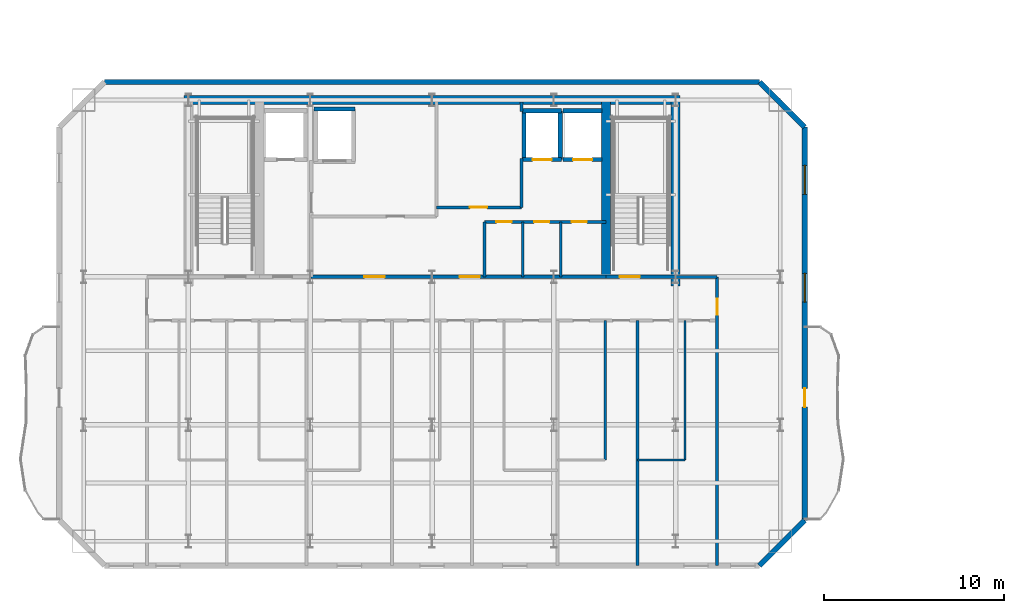
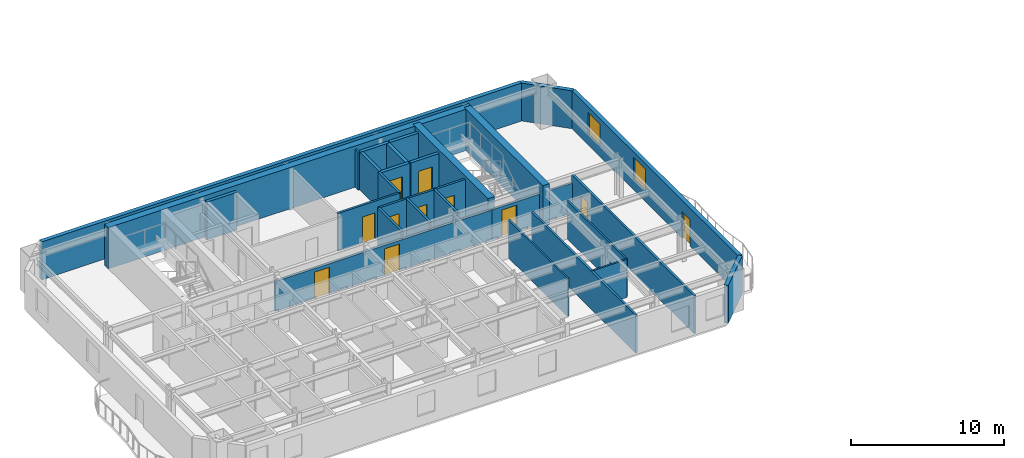
# One storey, part 7 of 14: 29 walls, 11 doors, 2 windows, 13 openings.
"""IFC4 building model written with IfcOpenShell, lengths in metres."""

from ifc_helpers import new_model, si_unit, direction, frame, frame_2d, origin, place, context, subcontext, project, spatial, rectangle, extrude, material, layer, layer_set, type_object, element, fill, save


model = new_model("IFC4")

# Units and contexts
model_context = context("Model", 3, precision=1e-05, world=origin(), true_north=direction((0.0, 1.0)))
body_context = subcontext(model_context, "Body", "Model", "MODEL_VIEW")
ifc_project = project(units=[si_unit("LENGTHUNIT", "METRE"), si_unit("AREAUNIT", "SQUARE_METRE"), si_unit("VOLUMEUNIT", "CUBIC_METRE"), si_unit("PLANEANGLEUNIT", "RADIAN"), si_unit("MASSUNIT", "GRAM", prefix="KILO")], contexts=[model_context])

# Site, building, storey
site_placement = place(None, origin())
site = spatial("IfcSite", under=ifc_project, at=site_placement, CompositionType="ELEMENT")
building_placement = place(site_placement, origin())
building = spatial("IfcBuilding", under=site, at=building_placement, Name="Haevon Station Towers", CompositionType="ELEMENT")
storey_placement = place(building_placement, frame((0.0, 0.0, 179.10009765625)))
storey = spatial("IfcBuildingStorey", under=building, at=storey_placement, Name="L49", CompositionType="ELEMENT", Elevation=179.10009765625)

# Wall, opening, door
ifc_material_1 = material(Name="Gypsum board on steel stud", Category="steel")
ifc_layer_1 = layer(ifc_material_1, 0.199951171875)
ifc_layer_set_1 = layer_set([ifc_layer_1], Name="Gypsum board on steel stud")
wall_type_1 = type_object("IfcWallType", Name="WL-COR200", PredefinedType="PARTITIONING", material=ifc_layer_set_1)
wall_1_placement = place(storey_placement, frame((47.14990234375, 38.199951171875, 0.0), z_axis=(0.0, 0.0, 1.0), x_axis=(1.0, 0.0, 0.0)))
wall_1 = element("IfcWall", 1, at=wall_1_placement, inside=storey, type_object=wall_type_1, Name="WL-ST-ST2-L49", PredefinedType="PARTITIONING", context=body_context, shape_type="SweptSolid", body=[
    extrude(rectangle(XDim=3.85009765625, YDim=0.199951171875, at=frame_2d((1.925048828125, 0.0))), origin(), (0.0, 0.0, 1.0), 2.3798828125),
])
opening_1_placement = place(wall_1_placement, frame((0.75, 0.0, 0.0)))
opening_1 = element("IfcOpeningElement", 2, at=opening_1_placement, cuts=wall_1, Name="Opening DR-ST-ST2-L49", PredefinedType="OPENING", context=body_context, shape_type="SweptSolid", body=[
    extrude(rectangle(XDim=1.1201171875, YDim=2.10009765625, at=frame_2d((0.56005859375, 1.050048828125))), frame((0.0, 0.10986328125, 0.0), z_axis=(0.0, -1.0, 0.0), x_axis=(1.0, 0.0, 0.0)), (0.0, 0.0, 1.0), 0.219970703125),
])
ifc_material_2 = material(Name="Engineered oak timber", Category="wood")
door_type_1 = type_object("IfcDoorType", Name="DR-ST-1120", OperationType="NOTDEFINED", PredefinedType="DOOR", material=ifc_material_2)
door_1_placement = place(opening_1_placement, origin())
door_1 = element("IfcDoor", 3, at=door_1_placement, inside=storey, type_object=door_type_1, Name="L49 Escape Stair ST2 Fire Door", OperationType="SINGLE_SWING_LEFT", OverallHeight=2.10009765625, OverallWidth=1.1201171875, PredefinedType="DOOR", context=body_context, shape_type="SweptSolid", body=[
    extrude(rectangle(XDim=1.1201171875, YDim=2.10009765625, at=frame_2d((0.56005859375, 1.050048828125))), frame((0.0, 0.02490234375, 0.0), z_axis=(0.0, -1.0, 0.0), x_axis=(1.0, 0.0, 0.0)), (0.0, 0.0, 1.0), 0.050048828125),
])
fill(opening_1, door_1)

# Wall, openings, doors
wall_2_placement = place(storey_placement, frame((30.800048828125, 38.199951171875, 0.0), z_axis=(0.0, 0.0, 1.0), x_axis=(1.0, 0.0, 0.0)))
wall_2 = element("IfcWall", 4, at=wall_2_placement, inside=storey, type_object=wall_type_1, Name="WL-T1CLB-L49", PredefinedType="PARTITIONING", context=body_context, shape_type="SweptSolid", body=[
    extrude(rectangle(XDim=16.349853515625, YDim=0.199951171875, at=frame_2d((8.1748046875, 0.0))), origin(), (0.0, 0.0, 1.0), 2.3798828125),
])
opening_2_placement = place(wall_2_placement, frame((2.949951171875, 0.0, 0.0)))
opening_2 = element("IfcOpeningElement", 5, at=opening_2_placement, cuts=wall_2, Name="Opening DR-T1CLB-L49-1", PredefinedType="OPENING", context=body_context, shape_type="SweptSolid", body=[
    extrude(rectangle(XDim=1.1201171875, YDim=2.10009765625, at=frame_2d((0.56005859375, 1.050048828125))), frame((0.0, 0.10986328125, 0.0), z_axis=(0.0, -1.0, 0.0), x_axis=(1.0, 0.0, 0.0)), (0.0, 0.0, 1.0), 0.219970703125),
])
opening_3_placement = place(wall_2_placement, frame((8.22998046875, 0.0, 0.0)))
opening_3 = element("IfcOpeningElement", 6, at=opening_3_placement, cuts=wall_2, Name="Opening DR-T1CLB-L49-2", PredefinedType="OPENING", context=body_context, shape_type="SweptSolid", body=[
    extrude(rectangle(XDim=1.1201171875, YDim=2.10009765625, at=frame_2d((0.56005859375, 1.050048828125))), frame((0.0, 0.10986328125, 0.0), z_axis=(0.0, -1.0, 0.0), x_axis=(1.0, 0.0, 0.0)), (0.0, 0.0, 1.0), 0.219970703125),
])
door_2_placement = place(opening_2_placement, origin())
door_2 = element("IfcDoor", 7, at=door_2_placement, inside=storey, type_object=door_type_1, Name="L49 Tower 1 Core Lift Lobby Door 1", OperationType="SINGLE_SWING_RIGHT", OverallHeight=2.10009765625, OverallWidth=1.1201171875, PredefinedType="DOOR", context=body_context, shape_type="SweptSolid", body=[
    extrude(rectangle(XDim=1.1201171875, YDim=2.10009765625, at=frame_2d((0.56005859375, 1.050048828125))), frame((0.0, 0.02490234375, 0.0), z_axis=(0.0, -1.0, 0.0), x_axis=(1.0, 0.0, 0.0)), (0.0, 0.0, 1.0), 0.050048828125),
])
fill(opening_2, door_2)
door_3_placement = place(opening_3_placement, origin())
door_3 = element("IfcDoor", 8, at=door_3_placement, inside=storey, type_object=door_type_1, Name="L49 Tower 1 Core Lift Lobby Door 2", OperationType="SINGLE_SWING_LEFT", OverallHeight=2.10009765625, OverallWidth=1.1201171875, PredefinedType="DOOR", context=body_context, shape_type="SweptSolid", body=[
    extrude(rectangle(XDim=1.1201171875, YDim=2.10009765625, at=frame_2d((0.56005859375, 1.050048828125))), frame((0.0, 0.02490234375, 0.0), z_axis=(0.0, -1.0, 0.0), x_axis=(1.0, 0.0, 0.0)), (0.0, 0.0, 1.0), 0.050048828125),
])
fill(opening_3, door_3)

# Walls
ifc_material_3 = material(Name="Concrete C60/75", Category="concrete")
ifc_layer_2 = layer(ifc_material_3, 0.5)
ifc_layer_set_2 = layer_set([ifc_layer_2], Name="Concrete C60/75")
wall_type_2 = type_object("IfcWallType", Name="WL-CR500", PredefinedType="SHEAR", material=ifc_layer_set_2)
wall_3_placement = place(storey_placement, frame((23.75, 48.0, 0.0), z_axis=(0.0, 0.0, 1.0), x_axis=(1.0, 0.0, 0.0)))
element("IfcWall", 9, at=wall_3_placement, inside=storey, type_object=wall_type_2, Name="WL-T1CR-L49-N", PredefinedType="SHEAR", context=body_context, shape_type="SweptSolid", body=[
    extrude(rectangle(XDim=27.5, YDim=0.5, at=frame_2d((13.75, 0.0))), origin(), (0.0, 0.0, 1.0), 3.2998046875),
])
wall_4_placement = place(storey_placement, frame((51.0, 37.679931640625, 0.0), z_axis=(0.0, 0.0, 1.0), x_axis=(0.0, 1.0, 0.0)))
element("IfcWall", 10, at=wall_4_placement, inside=storey, type_object=wall_type_2, Name="WL-T1CR-L49-E", PredefinedType="SHEAR", context=body_context, shape_type="SweptSolid", body=[
    extrude(rectangle(XDim=10.320068359375, YDim=0.5, at=frame_2d((5.16015625, 0.0))), origin(), (0.0, 0.0, 1.0), 3.2998046875),
])
wall_5_placement = place(storey_placement, frame((47.14990234375, 38.199951171875, 0.0), z_axis=(0.0, 0.0, 1.0), x_axis=(0.0, 1.0, 0.0)))
element("IfcWall", 11, at=wall_5_placement, inside=storey, type_object=wall_type_2, Name="WL-T1CR-L49-M2", PredefinedType="SHEAR", context=body_context, shape_type="SweptSolid", body=[
    extrude(rectangle(XDim=9.800048828125, YDim=0.5, at=frame_2d((4.89990234375, 0.0))), origin(), (0.0, 0.0, 1.0), 3.2998046875),
])
ifc_material_4 = material(Name="Precast concrete C45/55", Category="concrete")
ifc_layer_3 = layer(ifc_material_4, 0.300048828125)
ifc_layer_set_3 = layer_set([ifc_layer_3], Name="Precast concrete C45/55")
wall_type_3 = type_object("IfcWallType", Name="WL-EXT-PIER300", PredefinedType="SOLIDWALL", material=ifc_layer_set_3)
wall_6_placement = place(storey_placement, frame((19.35009765625, 49.0, 0.0), z_axis=(0.0, 0.0, 1.0), x_axis=(1.0, 0.0, 0.0)))
element("IfcWall", 12, at=wall_6_placement, inside=storey, type_object=wall_type_3, Name="WL-T1-L49-N", PredefinedType="SOLIDWALL", context=body_context, shape_type="SweptSolid", body=[
    extrude(rectangle(XDim=36.2998046875, YDim=0.300048828125, at=frame_2d((18.14990234375, 0.0))), origin(), (0.0, 0.0, 1.0), 3.02978515625),
])
wall_7_placement = place(storey_placement, frame((55.64990234375, 49.0, 0.0), z_axis=(0.0, 0.0, 1.0), x_axis=(0.707106781187, -0.707106781187, 0.0)))
element("IfcWall", 13, at=wall_7_placement, inside=storey, type_object=wall_type_3, Name="WL-T1-L49-NEC", PredefinedType="SOLIDWALL", context=body_context, shape_type="SweptSolid", body=[
    extrude(rectangle(XDim=3.53564453125, YDim=0.300048828125, at=frame_2d((1.767822265625, 0.0))), origin(), (0.0, 0.0, 1.0), 3.02978515625),
])

# Wall, openings, door, windows
wall_8_placement = place(storey_placement, frame((58.14990234375, 46.5, 0.0), z_axis=(0.0, 0.0, 1.0), x_axis=(0.0, -1.0, 0.0)))
wall_8 = element("IfcWall", 14, at=wall_8_placement, inside=storey, type_object=wall_type_3, Name="WL-T1-L49-E", PredefinedType="SOLIDWALL", context=body_context, shape_type="SweptSolid", body=[
    extrude(rectangle(XDim=21.800048828125, YDim=0.300048828125, at=frame_2d((10.89990234375, 0.0))), origin(), (0.0, 0.0, 1.0), 3.02978515625),
])
opening_4_placement = place(wall_8_placement, frame((14.47509765625, 0.0, 0.0)))
opening_4 = element("IfcOpeningElement", 15, at=opening_4_placement, cuts=wall_8, Name="Opening DR-T1-SCAL-L49-E", PredefinedType="OPENING", context=body_context, shape_type="SweptSolid", body=[
    extrude(rectangle(XDim=1.050048828125, YDim=2.10009765625, at=frame_2d((0.52490234375, 1.050048828125))), frame((0.0, 0.159912109375, 0.0), z_axis=(0.0, -1.0, 0.0), x_axis=(1.0, 0.0, 0.0)), (0.0, 0.0, 1.0), 0.320068359375),
])
opening_5_placement = place(wall_8_placement, frame((2.128662109375, 0.0, 0.800048828125)))
opening_5 = element("IfcOpeningElement", 16, at=opening_5_placement, cuts=wall_8, Name="Opening WN-END160", PredefinedType="OPENING", context=body_context, shape_type="SweptSolid", body=[
    extrude(rectangle(XDim=1.60009765625, YDim=1.800048828125, at=frame_2d((0.800048828125, 0.89990234375))), frame((0.0, 0.159912109375, 0.0), z_axis=(0.0, -1.0, 0.0), x_axis=(1.0, 0.0, 0.0)), (0.0, 0.0, 1.0), 0.320068359375),
])
opening_6_placement = place(wall_8_placement, frame((8.107177734375, 0.0, 0.800048828125)))
opening_6 = element("IfcOpeningElement", 17, at=opening_6_placement, cuts=wall_8, Name="Opening WN-END160", PredefinedType="OPENING", context=body_context, shape_type="SweptSolid", body=[
    extrude(rectangle(XDim=1.60009765625, YDim=1.800048828125, at=frame_2d((0.800048828125, 0.89990234375))), frame((0.0, 0.159912109375, 0.0), z_axis=(0.0, -1.0, 0.0), x_axis=(1.0, 0.0, 0.0)), (0.0, 0.0, 1.0), 0.320068359375),
])
ifc_material_5 = material(Name="Thermally broken anodised aluminium and laminated safety glass", Category="aluminium")
door_type_2 = type_object("IfcDoorType", Name="DR-BALC-1050", OperationType="NOTDEFINED", PredefinedType="DOOR", material=ifc_material_5)
door_4_placement = place(opening_4_placement, origin())
door_4 = element("IfcDoor", 18, at=door_4_placement, inside=storey, type_object=door_type_2, Name="Tower 1 L49 East Scalloped Balcony Door", OperationType="SINGLE_SWING_RIGHT", OverallHeight=2.10009765625, OverallWidth=1.050048828125, PredefinedType="DOOR", context=body_context, shape_type="SweptSolid", body=[
    extrude(rectangle(XDim=1.050048828125, YDim=2.10009765625, at=frame_2d((0.52490234375, 1.050048828125))), frame((0.0, 0.02490234375, 0.0), z_axis=(0.0, -1.0, 0.0), x_axis=(1.0, 0.0, 0.0)), (0.0, 0.0, 1.0), 0.050048828125),
])
fill(opening_4, door_4)
ifc_material_6 = material(Name="Low-E triple glazing in thermally broken aluminium", Category="aluminium")
window_type = type_object("IfcWindowType", Name="WN-END160", PartitioningType="SINGLE_PANEL", PredefinedType="WINDOW", material=ifc_material_6)
window_1_placement = place(opening_5_placement, origin())
window_1 = element("IfcWindow", 19, at=window_1_placement, inside=storey, type_object=window_type, Name="WN-T1-L49-E01", OverallHeight=1.800048828125, OverallWidth=1.60009765625, PartitioningType="SINGLE_PANEL", PredefinedType="WINDOW", context=body_context, shape_type="SweptSolid", body=[
    extrude(rectangle(XDim=1.60009765625, YDim=1.800048828125, at=frame_2d((0.800048828125, 0.89990234375))), frame((0.0, 0.030029296875, 0.0), z_axis=(0.0, -1.0, 0.0), x_axis=(1.0, 0.0, 0.0)), (0.0, 0.0, 1.0), 0.06005859375),
])
fill(opening_5, window_1)
window_2_placement = place(opening_6_placement, origin())
window_2 = element("IfcWindow", 20, at=window_2_placement, inside=storey, type_object=window_type, Name="WN-T1-L49-E02", OverallHeight=1.800048828125, OverallWidth=1.60009765625, PartitioningType="SINGLE_PANEL", PredefinedType="WINDOW", context=body_context, shape_type="SweptSolid", body=[
    extrude(rectangle(XDim=1.60009765625, YDim=1.800048828125, at=frame_2d((0.800048828125, 0.89990234375))), frame((0.0, 0.030029296875, 0.0), z_axis=(0.0, -1.0, 0.0), x_axis=(1.0, 0.0, 0.0)), (0.0, 0.0, 1.0), 0.06005859375),
])
fill(opening_6, window_2)

# Walls
wall_9_placement = place(storey_placement, frame((58.14990234375, 24.699951171875, 0.0), z_axis=(0.0, 0.0, 1.0), x_axis=(-0.707106781187, -0.707106781187, 0.0)))
element("IfcWall", 21, at=wall_9_placement, inside=storey, type_object=wall_type_3, Name="WL-T1-L49-SEC", PredefinedType="SOLIDWALL", context=body_context, shape_type="SweptSolid", body=[
    extrude(rectangle(XDim=3.53564453125, YDim=0.300048828125, at=frame_2d((1.767822265625, 0.0))), origin(), (0.0, 0.0, 1.0), 3.02978515625),
])
ifc_layer_4 = layer(ifc_material_1, 0.125)
ifc_layer_set_4 = layer_set([ifc_layer_4], Name="Gypsum board on steel stud")
wall_type_4 = type_object("IfcWallType", Name="WL-PRT125", PredefinedType="PARTITIONING", material=ifc_layer_set_4)
wall_10_placement = place(storey_placement, frame((47.095947265625, 28.05224609375, 0.0), z_axis=(0.0, 0.0, 1.0), x_axis=(0.0, 1.0, 0.0)))
element("IfcWall", 22, at=wall_10_placement, inside=storey, type_object=wall_type_4, Name="WL-T1PT-L49-21", PredefinedType="PARTITIONING", context=body_context, shape_type="SweptSolid", body=[
    extrude(rectangle(XDim=7.727783203125, YDim=0.125, at=frame_2d((3.86376953125, 0.0))), origin(), (0.0, 0.0, 1.0), 3.02978515625),
])
wall_11_placement = place(storey_placement, frame((48.8759765625, 28.05224609375, 0.0), z_axis=(0.0, 0.0, 1.0), x_axis=(1.0, 0.0, 0.0)))
element("IfcWall", 23, at=wall_11_placement, inside=storey, type_object=wall_type_4, Name="WL-T1PT-L49-23", PredefinedType="PARTITIONING", context=body_context, shape_type="SweptSolid", body=[
    extrude(rectangle(XDim=2.64404296875, YDim=0.125, at=frame_2d((1.322021484375, 0.0))), origin(), (0.0, 0.0, 1.0), 3.02978515625),
])
wall_12_placement = place(storey_placement, frame((51.52001953125, 28.05224609375, 0.0), z_axis=(0.0, 0.0, 1.0), x_axis=(0.0, 1.0, 0.0)))
element("IfcWall", 24, at=wall_12_placement, inside=storey, type_object=wall_type_4, Name="WL-T1PT-L49-24", PredefinedType="PARTITIONING", context=body_context, shape_type="SweptSolid", body=[
    extrude(rectangle(XDim=7.727783203125, YDim=0.125, at=frame_2d((3.86376953125, 0.0))), origin(), (0.0, 0.0, 1.0), 3.02978515625),
])

# Wall, opening, door
ifc_layer_5 = layer(ifc_material_1, 0.159912109375)
ifc_layer_set_5 = layer_set([ifc_layer_5], Name="Gypsum board on steel stud")
wall_type_5 = type_object("IfcWallType", Name="WL-PRT160", PredefinedType="PARTITIONING", material=ifc_layer_set_5)
wall_13_placement = place(storey_placement, frame((37.75, 42.050048828125, 0.0), z_axis=(0.0, 0.0, 1.0), x_axis=(1.0, 0.0, 0.0)))
wall_13 = element("IfcWall", 25, at=wall_13_placement, inside=storey, type_object=wall_type_5, Name="WL-T1CW-L49-03", PredefinedType="PARTITIONING", context=body_context, shape_type="SweptSolid", body=[
    extrude(rectangle(XDim=4.699951171875, YDim=0.159912109375, at=frame_2d((2.35009765625, 0.0))), origin(), (0.0, 0.0, 1.0), 3.02978515625),
])
opening_7_placement = place(wall_13_placement, frame((1.85009765625, 0.0, 0.0)))
opening_7 = element("IfcOpeningElement", 26, at=opening_7_placement, cuts=wall_13, Name="Opening DR-WL-T1CW-L49-03-1", PredefinedType="OPENING", context=body_context, shape_type="SweptSolid", body=[
    extrude(rectangle(XDim=0.949951171875, YDim=2.10009765625, at=frame_2d((0.47509765625, 1.050048828125))), frame((0.0, 0.08984375, 0.0), z_axis=(0.0, -1.0, 0.0), x_axis=(1.0, 0.0, 0.0)), (0.0, 0.0, 1.0), 0.179931640625),
])
door_type_3 = type_object("IfcDoorType", Name="DR-FD60-950", OperationType="NOTDEFINED", PredefinedType="DOOR", material=ifc_material_2)
door_5_placement = place(opening_7_placement, origin())
door_5 = element("IfcDoor", 27, at=door_5_placement, inside=storey, type_object=door_type_3, Name="L49 Tower 1 Core Room Door 3-1", OperationType="SINGLE_SWING_RIGHT", OverallHeight=2.10009765625, OverallWidth=0.949951171875, PredefinedType="DOOR", context=body_context, shape_type="SweptSolid", body=[
    extrude(rectangle(XDim=0.949951171875, YDim=2.10009765625, at=frame_2d((0.47509765625, 1.050048828125))), frame((0.0, 0.02490234375, 0.0), z_axis=(0.0, -1.0, 0.0), x_axis=(1.0, 0.0, 0.0)), (0.0, 0.0, 1.0), 0.050048828125),
])
fill(opening_7, door_5)

# Walls
wall_14_placement = place(storey_placement, frame((42.449951171875, 42.050048828125, 0.0), z_axis=(0.0, 0.0, 1.0), x_axis=(0.0, 1.0, 0.0)))
element("IfcWall", 28, at=wall_14_placement, inside=storey, type_object=wall_type_5, Name="WL-T1CW-L49-04", PredefinedType="PARTITIONING", context=body_context, shape_type="SweptSolid", body=[
    extrude(rectangle(XDim=2.699951171875, YDim=0.159912109375, at=frame_2d((1.35009765625, 0.0))), origin(), (0.0, 0.0, 1.0), 3.02978515625),
])
wall_15_placement = place(storey_placement, frame((42.449951171875, 47.35009765625, 0.0), z_axis=(0.0, 0.0, 1.0), x_axis=(0.0, 1.0, 0.0)))
element("IfcWall", 29, at=wall_15_placement, inside=storey, type_object=wall_type_5, Name="WL-T1CW-L49-05", PredefinedType="PARTITIONING", context=body_context, shape_type="SweptSolid", body=[
    extrude(rectangle(XDim=0.5498046875, YDim=0.159912109375, at=frame_2d((0.27490234375, 0.0))), origin(), (0.0, 0.0, 1.0), 3.02978515625),
])
for number, where, z_axis, x_axis, name in (
    (30, (40.39990234375, 38.199951171875, 0.0), (0.0, 0.0, 1.0), (0.0, 1.0, 0.0), "WL-T1CW-L49-06"),
    (31, (42.530029296875, 38.199951171875, 0.0), (0.0, 0.0, 1.0), (0.0, 1.0, 0.0), "WL-T1CW-L49-07"),
    (32, (44.6298828125, 38.199951171875, 0.0), (0.0, 0.0, 1.0), (0.0, 1.0, 0.0), "WL-T1CW-L49-08"),
):
    element("IfcWall", number, at=place(storey_placement, frame(where, z_axis=z_axis, x_axis=x_axis)), inside=storey, type_object=wall_type_5, Name=name, PredefinedType="PARTITIONING", context=body_context, shape_type="SweptSolid", body=[
        extrude(rectangle(XDim=3.050048828125, YDim=0.159912109375, at=frame_2d((1.52490234375, 0.0))), origin(), (0.0, 0.0, 1.0), 3.02978515625),
    ])

# Wall, openings, doors
wall_16_placement = place(storey_placement, frame((40.39990234375, 41.25, 0.0), z_axis=(0.0, 0.0, 1.0), x_axis=(1.0, 0.0, 0.0)))
wall_16 = element("IfcWall", 33, at=wall_16_placement, inside=storey, type_object=wall_type_5, Name="WL-T1CW-L49-09", PredefinedType="PARTITIONING", context=body_context, shape_type="SweptSolid", body=[
    extrude(rectangle(XDim=6.75, YDim=0.159912109375, at=frame_2d((3.375, 0.0))), origin(), (0.0, 0.0, 1.0), 3.02978515625),
])
opening_8_placement = place(wall_16_placement, frame((0.659912109375, 0.0, 0.0)))
opening_8 = element("IfcOpeningElement", 34, at=opening_8_placement, cuts=wall_16, Name="Opening DR-WL-T1CW-L49-09-1", PredefinedType="OPENING", context=body_context, shape_type="SweptSolid", body=[
    extrude(rectangle(XDim=0.85009765625, YDim=2.050048828125, at=frame_2d((0.425048828125, 1.02490234375))), frame((0.0, 0.08984375, 0.0), z_axis=(0.0, -1.0, 0.0), x_axis=(1.0, 0.0, 0.0)), (0.0, 0.0, 1.0), 0.179931640625),
])
opening_9_placement = place(wall_16_placement, frame((2.7548828125, 0.0, 0.0)))
opening_9 = element("IfcOpeningElement", 35, at=opening_9_placement, cuts=wall_16, Name="Opening DR-WL-T1CW-L49-09-2", PredefinedType="OPENING", context=body_context, shape_type="SweptSolid", body=[
    extrude(rectangle(XDim=0.85009765625, YDim=2.050048828125, at=frame_2d((0.425048828125, 1.02490234375))), frame((0.0, 0.08984375, 0.0), z_axis=(0.0, -1.0, 0.0), x_axis=(1.0, 0.0, 0.0)), (0.0, 0.0, 1.0), 0.179931640625),
])
opening_10_placement = place(wall_16_placement, frame((4.830078125, 0.0, 0.0)))
opening_10 = element("IfcOpeningElement", 36, at=opening_10_placement, cuts=wall_16, Name="Opening DR-WL-T1CW-L49-09-3", PredefinedType="OPENING", context=body_context, shape_type="SweptSolid", body=[
    extrude(rectangle(XDim=0.85009765625, YDim=2.050048828125, at=frame_2d((0.425048828125, 1.02490234375))), frame((0.0, 0.08984375, 0.0), z_axis=(0.0, -1.0, 0.0), x_axis=(1.0, 0.0, 0.0)), (0.0, 0.0, 1.0), 0.179931640625),
])
door_type_4 = type_object("IfcDoorType", Name="DR-FD30-850", OperationType="NOTDEFINED", PredefinedType="DOOR", material=ifc_material_2)
door_6_placement = place(opening_8_placement, origin())
door_6 = element("IfcDoor", 37, at=door_6_placement, inside=storey, type_object=door_type_4, Name="L49 Tower 1 Core Room Door 9-1", OperationType="SINGLE_SWING_LEFT", OverallHeight=2.050048828125, OverallWidth=0.85009765625, PredefinedType="DOOR", context=body_context, shape_type="SweptSolid", body=[
    extrude(rectangle(XDim=0.85009765625, YDim=2.050048828125, at=frame_2d((0.425048828125, 1.02490234375))), frame((0.0, 0.02490234375, 0.0), z_axis=(0.0, -1.0, 0.0), x_axis=(1.0, 0.0, 0.0)), (0.0, 0.0, 1.0), 0.050048828125),
])
fill(opening_8, door_6)
door_7_placement = place(opening_9_placement, origin())
door_7 = element("IfcDoor", 38, at=door_7_placement, inside=storey, type_object=door_type_4, Name="L49 Tower 1 Core Room Door 9-2", OperationType="SINGLE_SWING_RIGHT", OverallHeight=2.050048828125, OverallWidth=0.85009765625, PredefinedType="DOOR", context=body_context, shape_type="SweptSolid", body=[
    extrude(rectangle(XDim=0.85009765625, YDim=2.050048828125, at=frame_2d((0.425048828125, 1.02490234375))), frame((0.0, 0.02490234375, 0.0), z_axis=(0.0, -1.0, 0.0), x_axis=(1.0, 0.0, 0.0)), (0.0, 0.0, 1.0), 0.050048828125),
])
fill(opening_9, door_7)
door_8_placement = place(opening_10_placement, origin())
door_8 = element("IfcDoor", 39, at=door_8_placement, inside=storey, type_object=door_type_4, Name="L49 Tower 1 Core Room Door 9-3", OperationType="SINGLE_SWING_LEFT", OverallHeight=2.050048828125, OverallWidth=0.85009765625, PredefinedType="DOOR", context=body_context, shape_type="SweptSolid", body=[
    extrude(rectangle(XDim=0.85009765625, YDim=2.050048828125, at=frame_2d((0.425048828125, 1.02490234375))), frame((0.0, 0.02490234375, 0.0), z_axis=(0.0, -1.0, 0.0), x_axis=(1.0, 0.0, 0.0)), (0.0, 0.0, 1.0), 0.050048828125),
])
fill(opening_10, door_8)

# Wall
wall_17_placement = place(storey_placement, frame((51.0, 38.199951171875, 0.0), z_axis=(0.0, 0.0, 1.0), x_axis=(1.0, 0.0, 0.0)))
element("IfcWall", 40, at=wall_17_placement, inside=storey, type_object=wall_type_5, Name="WL-T1PT-L49-02", PredefinedType="PARTITIONING", context=body_context, shape_type="SweptSolid", body=[
    extrude(rectangle(XDim=2.300048828125, YDim=0.159912109375, at=frame_2d((1.14990234375, 0.0))), origin(), (0.0, 0.0, 1.0), 2.3798828125),
])

# Wall, opening, door
wall_18_placement = place(storey_placement, frame((53.300048828125, 22.199951171875, 0.0), z_axis=(0.0, 0.0, 1.0), x_axis=(0.0, 1.0, 0.0)))
wall_18 = element("IfcWall", 41, at=wall_18_placement, inside=storey, type_object=wall_type_5, Name="WL-T1PT-L49-04", PredefinedType="PARTITIONING", context=body_context, shape_type="SweptSolid", body=[
    extrude(rectangle(XDim=16.0, YDim=0.159912109375, at=frame_2d((8.0, 0.0))), origin(), (0.0, 0.0, 1.0), 3.02978515625),
])
opening_11_placement = place(wall_18_placement, frame((13.89990234375, 0.0, 0.0)))
opening_11 = element("IfcOpeningElement", 42, at=opening_11_placement, cuts=wall_18, Name="Opening DR-WL-T1PT-L49-04-01", PredefinedType="OPENING", context=body_context, shape_type="SweptSolid", body=[
    extrude(rectangle(XDim=0.89990234375, YDim=2.050048828125, at=frame_2d((0.449951171875, 1.02490234375))), frame((0.0, 0.08984375, 0.0), z_axis=(0.0, -1.0, 0.0), x_axis=(1.0, 0.0, 0.0)), (0.0, 0.0, 1.0), 0.179931640625),
])
door_type_5 = type_object("IfcDoorType", Name="DR-INT-900", OperationType="NOTDEFINED", PredefinedType="DOOR", material=ifc_material_2)
door_9_placement = place(opening_11_placement, origin())
door_9 = element("IfcDoor", 43, at=door_9_placement, inside=storey, type_object=door_type_5, Name="L49 Tower 1 Room Door 4-1", OperationType="SINGLE_SWING_LEFT", OverallHeight=2.050048828125, OverallWidth=0.89990234375, PredefinedType="DOOR", context=body_context, shape_type="SweptSolid", body=[
    extrude(rectangle(XDim=0.89990234375, YDim=2.050048828125, at=frame_2d((0.449951171875, 1.02490234375))), frame((0.0, 0.02490234375, 0.0), z_axis=(0.0, -1.0, 0.0), x_axis=(1.0, 0.0, 0.0)), (0.0, 0.0, 1.0), 0.050048828125),
])
fill(opening_11, door_9)

# Walls
wall_19_placement = place(storey_placement, frame((48.8759765625, 22.199951171875, 0.0), z_axis=(0.0, 0.0, 1.0), x_axis=(0.0, 1.0, 0.0)))
element("IfcWall", 44, at=wall_19_placement, inside=storey, type_object=wall_type_5, Name="WL-T1PT-L49-22", PredefinedType="PARTITIONING", context=body_context, shape_type="SweptSolid", body=[
    extrude(rectangle(XDim=13.580078125, YDim=0.159912109375, at=frame_2d((6.7900390625, 0.0))), origin(), (0.0, 0.0, 1.0), 3.02978515625),
])
ifc_material_7 = material(Name="Concrete C40/50", Category="concrete")
ifc_layer_6 = layer(ifc_material_7, 0.239990234375)
ifc_layer_set_6 = layer_set([ifc_layer_6], Name="Concrete C40/50")
wall_type_6 = type_object("IfcWallType", Name="WL-SHF240", PredefinedType="PARTITIONING", material=ifc_layer_set_6)
wall_20_placement = place(storey_placement, frame((30.969970703125, 47.5, 0.0), z_axis=(0.0, 0.0, 1.0), x_axis=(1.0, 0.0, 0.0)))
element("IfcWall", 45, at=wall_20_placement, inside=storey, type_object=wall_type_6, Name="WL-SHF-SL1-L49-N", PredefinedType="PARTITIONING", context=body_context, shape_type="SweptSolid", body=[
    extrude(rectangle(XDim=2.260009765625, YDim=0.239990234375, at=frame_2d((1.1298828125, 0.0))), origin(), (0.0, 0.0, 1.0), 3.02978515625),
])

# Wall, opening, door
wall_21_placement = place(storey_placement, frame((42.52001953125, 44.699951171875, 0.0), z_axis=(0.0, 0.0, 1.0), x_axis=(1.0, 0.0, 0.0)))
wall_21 = element("IfcWall", 46, at=wall_21_placement, inside=storey, type_object=wall_type_6, Name="WL-SHF-PL5-L49", PredefinedType="PARTITIONING", context=body_context, shape_type="SweptSolid", body=[
    extrude(rectangle(XDim=2.159912109375, YDim=0.239990234375, at=frame_2d((1.080078125, 0.0))), origin(), (0.0, 0.0, 1.0), 3.02978515625),
])
opening_12_placement = place(wall_21_placement, frame((0.554931640625, 0.0, 0.0)))
opening_12 = element("IfcOpeningElement", 47, at=opening_12_placement, cuts=wall_21, Name="Opening LD-PL5-L49", PredefinedType="OPENING", context=body_context, shape_type="SweptSolid", body=[
    extrude(rectangle(XDim=1.050048828125, YDim=2.14990234375, at=frame_2d((0.52490234375, 1.074951171875))), frame((0.0, 0.1298828125, 0.0), z_axis=(0.0, -1.0, 0.0), x_axis=(1.0, 0.0, 0.0)), (0.0, 0.0, 1.0), 0.260009765625),
])
ifc_material_8 = material(Name="Stainless steel and rated core", Category="steel")
door_type_6 = type_object("IfcDoorType", Name="LD-PL1050", OperationType="SLIDING_TO_LEFT", PredefinedType="DOOR", material=ifc_material_8)
door_10_placement = place(opening_12_placement, origin())
door_10 = element("IfcDoor", 48, at=door_10_placement, inside=storey, type_object=door_type_6, Name="L49 Lift PL5 Sliding Landing Door", OperationType="SLIDING_TO_LEFT", OverallHeight=2.14990234375, OverallWidth=1.050048828125, PredefinedType="DOOR", context=body_context, shape_type="SweptSolid", body=[
    extrude(rectangle(XDim=1.050048828125, YDim=2.14990234375, at=frame_2d((0.52490234375, 1.074951171875))), frame((0.0, 0.02490234375, 0.0), z_axis=(0.0, -1.0, 0.0), x_axis=(1.0, 0.0, 0.0)), (0.0, 0.0, 1.0), 0.050048828125),
])
fill(opening_12, door_10)

# Walls
wall_22_placement = place(storey_placement, frame((42.52001953125, 47.39990234375, 0.0), z_axis=(0.0, 0.0, 1.0), x_axis=(1.0, 0.0, 0.0)))
element("IfcWall", 49, at=wall_22_placement, inside=storey, type_object=wall_type_6, Name="WL-SHF-PL5-L49-N", PredefinedType="PARTITIONING", context=body_context, shape_type="SweptSolid", body=[
    extrude(rectangle(XDim=2.159912109375, YDim=0.239990234375, at=frame_2d((1.080078125, 0.0))), origin(), (0.0, 0.0, 1.0), 3.02978515625),
])
for number, where, z_axis, x_axis, name in (
    (50, (42.60009765625, 44.699951171875, 0.0), (0.0, 0.0, 1.0), (0.0, 1.0, 0.0), "WL-SHF-PL5-L49-W"),
    (51, (44.60009765625, 44.699951171875, 0.0), (0.0, 0.0, 1.0), (0.0, 1.0, 0.0), "WL-SHF-PL5-L49-E"),
):
    element("IfcWall", number, at=place(storey_placement, frame(where, z_axis=z_axis, x_axis=x_axis)), inside=storey, type_object=wall_type_6, Name=name, PredefinedType="PARTITIONING", context=body_context, shape_type="SweptSolid", body=[
        extrude(rectangle(XDim=2.699951171875, YDim=0.239990234375, at=frame_2d((1.35009765625, 0.0))), origin(), (0.0, 0.0, 1.0), 3.02978515625),
    ])

# Wall, opening, door
wall_23_placement = place(storey_placement, frame((44.77001953125, 44.699951171875, 0.0), z_axis=(0.0, 0.0, 1.0), x_axis=(1.0, 0.0, 0.0)))
wall_23 = element("IfcWall", 52, at=wall_23_placement, inside=storey, type_object=wall_type_6, Name="WL-SHF-PL6-L49", PredefinedType="PARTITIONING", context=body_context, shape_type="SweptSolid", body=[
    extrude(rectangle(XDim=2.159912109375, YDim=0.239990234375, at=frame_2d((1.080078125, 0.0))), origin(), (0.0, 0.0, 1.0), 3.02978515625),
])
opening_13_placement = place(wall_23_placement, frame((0.554931640625, 0.0, 0.0)))
opening_13 = element("IfcOpeningElement", 53, at=opening_13_placement, cuts=wall_23, Name="Opening LD-PL6-L49", PredefinedType="OPENING", context=body_context, shape_type="SweptSolid", body=[
    extrude(rectangle(XDim=1.050048828125, YDim=2.14990234375, at=frame_2d((0.52490234375, 1.074951171875))), frame((0.0, 0.1298828125, 0.0), z_axis=(0.0, -1.0, 0.0), x_axis=(1.0, 0.0, 0.0)), (0.0, 0.0, 1.0), 0.260009765625),
])
door_11_placement = place(opening_13_placement, origin())
door_11 = element("IfcDoor", 54, at=door_11_placement, inside=storey, type_object=door_type_6, Name="L49 Lift PL6 Sliding Landing Door", OperationType="SLIDING_TO_LEFT", OverallHeight=2.14990234375, OverallWidth=1.050048828125, PredefinedType="DOOR", context=body_context, shape_type="SweptSolid", body=[
    extrude(rectangle(XDim=1.050048828125, YDim=2.14990234375, at=frame_2d((0.52490234375, 1.074951171875))), frame((0.0, 0.02490234375, 0.0), z_axis=(0.0, -1.0, 0.0), x_axis=(1.0, 0.0, 0.0)), (0.0, 0.0, 1.0), 0.050048828125),
])
fill(opening_13, door_11)

# Wall
wall_24_placement = place(storey_placement, frame((44.77001953125, 47.39990234375, 0.0), z_axis=(0.0, 0.0, 1.0), x_axis=(1.0, 0.0, 0.0)))
element("IfcWall", 55, at=wall_24_placement, inside=storey, type_object=wall_type_6, Name="WL-SHF-PL6-L49-N", PredefinedType="PARTITIONING", context=body_context, shape_type="SweptSolid", body=[
    extrude(rectangle(XDim=2.159912109375, YDim=0.239990234375, at=frame_2d((1.080078125, 0.0))), origin(), (0.0, 0.0, 1.0), 3.02978515625),
])

save(model, "model.ifc")
